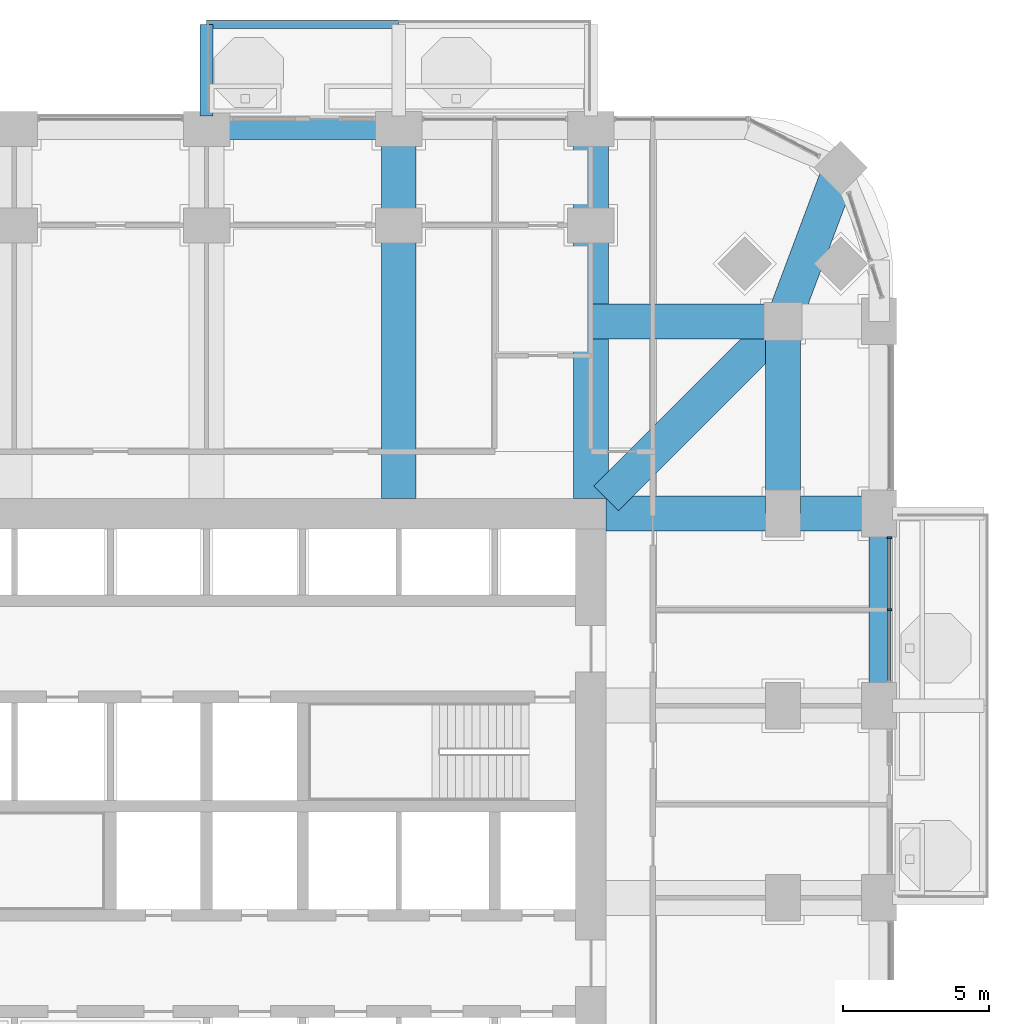
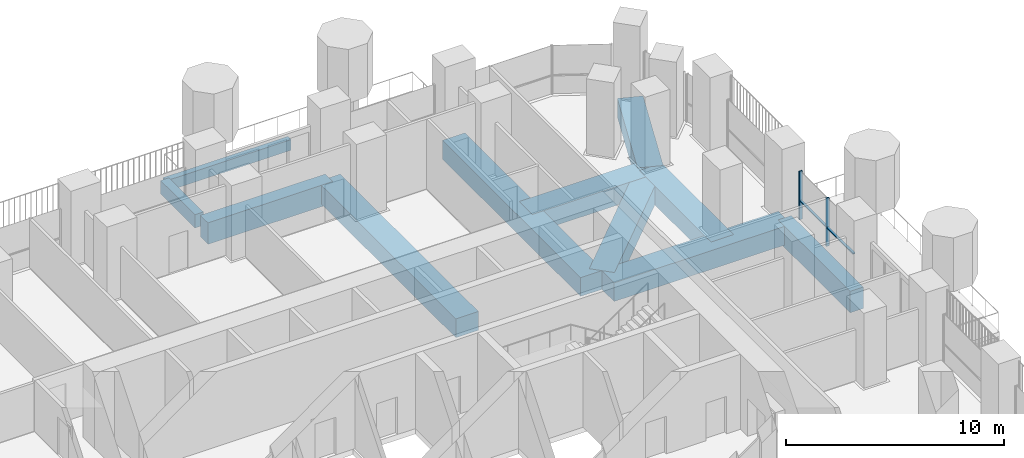
# One storey, part 7 of 23: 11 beams, 4 members, 1 element without a shape of its own.
"""IFC4 building model written with IfcOpenShell, lengths in metres."""

import ifcopenshell
import ifcopenshell.guid

model = None  # the IFC model being written
_history = None  # IfcOwnerHistory: only IFC2X3 demands one
_inside = {}  # id of a spatial element -> (the spatial element, [elements in it])
_under = {}  # id of a project, library or spatial element -> (it, [spatial elements below it])
_declared = {}  # id of a project -> (the project, [libraries it declares])
_typed = {}  # id of a type object -> (the type object, [elements of that type])
_made_of = {}  # id of a material, layer set ... -> (it, [elements and type objects made of it])


def new_model(schema):
    """Start an empty IFC model of exactly this schema.

    Asked for "IFC4X3", IfcOpenShell would pick the latest addendum, in which some entities
    have other attributes; the version numbers below select the first issue.
    IFC2X3 requires an IfcOwnerHistory on every rooted entity: one is made here for all.
    """
    global model, _history
    if schema == "IFC4X3":
        model = ifcopenshell.file(schema_version=(4, 3, 0, 0))
    else:
        model = ifcopenshell.file(schema=schema)
    _inside.clear()
    _under.clear()
    _declared.clear()
    _typed.clear()
    _made_of.clear()
    _history = None
    if model.schema == "IFC2X3":
        org = make("IfcOrganization", Name="unknown")
        user = make(
            "IfcPersonAndOrganization",
            ThePerson=make("IfcPerson", FamilyName="unknown"),
            TheOrganization=org,
        )
        app = make(
            "IfcApplication",
            ApplicationDeveloper=org,
            Version="unknown",
            ApplicationFullName="unknown",
            ApplicationIdentifier="unknown",
        )
        _history = make(
            "IfcOwnerHistory",
            OwningUser=user,
            OwningApplication=app,
            ChangeAction="ADDED",
            CreationDate=0,
        )
    return model


def make(cls, **values):
    """One entity of the class cls with the attributes given. An attribute that is None is left unset."""
    return model.create_entity(
        cls, **{name: value for name, value in values.items() if value is not None}
    )


def rooted(cls, **values):
    """An entity with a GlobalId (a new one), such as an element, a storey or a relation."""
    return make(cls, GlobalId=ifcopenshell.guid.new(), OwnerHistory=_history, **values)


def si_unit(unit_type, name, prefix=None):
    """IfcSIUnit, for example si_unit("LENGTHUNIT", "METRE", prefix="MILLI")."""
    return make("IfcSIUnit", UnitType=unit_type, Prefix=prefix, Name=name)


def assignment(units):
    """IfcUnitAssignment: the units of a project."""
    return None if units is None else make("IfcUnitAssignment", Units=units)


def point(xyz):
    """IfcCartesianPoint."""
    return None if xyz is None else make("IfcCartesianPoint", Coordinates=xyz)


def direction(xyz):
    """IfcDirection."""
    return None if xyz is None else make("IfcDirection", DirectionRatios=xyz)


def frame(location, z_axis=None, x_axis=None):
    """IfcAxis2Placement3D, a coordinate frame: its origin and axes. An axis left out is left unset."""
    return make(
        "IfcAxis2Placement3D",
        Location=point(location),
        Axis=direction(z_axis),
        RefDirection=direction(x_axis),
    )


def frame_2d(location, x_axis=None):
    """IfcAxis2Placement2D, a coordinate frame in the plane: its origin and x axis."""
    return make(
        "IfcAxis2Placement2D", Location=point(location), RefDirection=direction(x_axis)
    )


def origin():
    """The frame at (0, 0, 0) with its axes left unset."""
    return frame((0.0, 0.0, 0.0))


def origin_2d():
    """The frame at (0, 0) in the plane with its x axis left unset."""
    return frame_2d((0.0, 0.0))


def place(relative_to, where):
    """IfcLocalPlacement: puts the frame where relative to a parent placement (None: the world)."""
    return make(
        "IfcLocalPlacement", PlacementRelTo=relative_to, RelativePlacement=where
    )


def context(
    kind, dimensions, precision=None, world=None, true_north=None, identifier=None
):
    """IfcGeometricRepresentationContext, for example the 3D "Model" context."""
    return make(
        "IfcGeometricRepresentationContext",
        ContextIdentifier=identifier,
        ContextType=kind,
        CoordinateSpaceDimension=dimensions,
        Precision=precision,
        WorldCoordinateSystem=world,
        TrueNorth=true_north,
    )


def subcontext(parent, identifier, kind, view, scale=None):
    """IfcGeometricRepresentationSubContext, for example "Body" below "Model"."""
    return make(
        "IfcGeometricRepresentationSubContext",
        ContextIdentifier=identifier,
        ContextType=kind,
        ParentContext=parent,
        TargetScale=scale,
        TargetView=view,
    )


def project(units=None, contexts=None):
    """IfcProject with its units and contexts."""
    return rooted(
        "IfcProject",
        Name="project",
        RepresentationContexts=contexts,
        UnitsInContext=assignment(units),
    )


def spatial(cls, under=None, at=None, **own):
    """A site, building, storey or space (cls), placed at a placement, below another one or the project."""
    s = rooted(cls, ObjectPlacement=at, **own)
    if under is not None:
        _under.setdefault(under.id(), (under, []))[1].append(s)
    return s


def profile(cls, at=None, kind="AREA", **sizes):
    """A parametric profile (cls). Its sizes go by their IFC names, for example OverallWidth=200.0."""
    return make(cls, ProfileType=kind, Position=at, **sizes)


def rectangle(**sizes):
    """IfcRectangleProfileDef."""
    return profile("IfcRectangleProfileDef", **sizes)


def extrude(swept, where, along, depth):
    """IfcExtrudedAreaSolid: the profile swept, set in the frame where, extruded along a direction by depth."""
    return make(
        "IfcExtrudedAreaSolid",
        SweptArea=swept,
        Position=where,
        ExtrudedDirection=direction(along),
        Depth=depth,
    )


def shape(context_of_items, identifier, shape_type, items):
    """IfcShapeRepresentation: the items that make up one representation, for example the "Body"."""
    return make(
        "IfcShapeRepresentation",
        ContextOfItems=context_of_items,
        RepresentationIdentifier=identifier,
        RepresentationType=shape_type,
        Items=items,
    )


def material(Name=None, Category=None):
    """IfcMaterial."""
    return make("IfcMaterial", Name=Name, Category=Category)


def material_profile(
    of_material, cross_section, Name=None, Category=None, Priority=None
):
    """IfcMaterialProfile: a cross section and its material."""
    return make(
        "IfcMaterialProfile",
        Name=Name,
        Material=of_material,
        Profile=cross_section,
        Priority=Priority,
        Category=Category,
    )


def profile_set(profiles, Name=None, composite=None):
    """IfcMaterialProfileSet."""
    return make(
        "IfcMaterialProfileSet",
        Name=Name,
        MaterialProfiles=profiles,
        CompositeProfile=composite,
    )


def made_of(thing, what):
    """Note that an element or type object is made of a material, layer set ...; save() writes the relation."""
    if what is not None:
        _made_of.setdefault(what.id(), (what, []))[1].append(thing)
    return thing


def type_object(cls, material=None, **own):
    """A type object (cls), such as IfcWallType, which elements share."""
    return made_of(rooted(cls, **own), material)


def element(
    cls,
    number,
    at=None,
    inside=None,
    cuts=None,
    type_object=None,
    material=None,
    context=None,
    identifier="Body",
    shape_type=None,
    held_by="IfcProductDefinitionShape",
    body=None,
    shapes=None,
    **own,
):
    """One element of the class cls, such as IfcWall. Its Tag is "e" and its number.

    at: its placement. inside: the storey or other place that contains it. cuts: it is an
    opening in that element (IfcRelVoidsElement). A single representation is given by context,
    identifier, shape_type and body (its items); several are given by shapes. held_by: the class
    of the entity that holds the representations. save() writes the other relations.
    """
    e = rooted(cls, Tag="e%d" % number, ObjectPlacement=at, **own)
    if body is not None:
        shapes = [shape(context, identifier, shape_type, body)]
    if shapes is not None:
        e.Representation = make(held_by, Representations=shapes)
    if inside is not None:
        _inside.setdefault(inside.id(), (inside, []))[1].append(e)
    if cuts is not None:
        rooted(
            "IfcRelVoidsElement", RelatingBuildingElement=cuts, RelatedOpeningElement=e
        )
    if type_object is not None:
        _typed.setdefault(type_object.id(), (type_object, []))[1].append(e)
    return made_of(e, material)


def aggregate(whole, parts):
    """IfcRelAggregates: a whole, such as a stair, and the parts it consists of."""
    return rooted("IfcRelAggregates", RelatingObject=whole, RelatedObjects=parts)


def save(model, path):
    """Write the relations noted so far, then the file.

    IfcRelAggregates (storeys below a building ...), IfcRelContainedInSpatialStructure (elements
    in a storey), IfcRelDefinesByType, IfcRelAssociatesMaterial and IfcRelDeclares: one each for
    every whole, place, type object, material and project.
    """
    for whole, parts in _under.values():
        aggregate(whole, parts)
    for where, things in _inside.values():
        rooted(
            "IfcRelContainedInSpatialStructure",
            RelatedElements=things,
            RelatingStructure=where,
        )
    for kind, things in _typed.values():
        rooted("IfcRelDefinesByType", RelatedObjects=things, RelatingType=kind)
    for what, things in _made_of.values():
        rooted("IfcRelAssociatesMaterial", RelatedObjects=things, RelatingMaterial=what)
    for by, libraries in _declared.values():
        rooted("IfcRelDeclares", RelatingContext=by, RelatedDefinitions=libraries)
    model.write(path)


model = new_model("IFC4")

# Units and contexts
model_context = context("Model", 3, precision=1e-05, world=origin(), true_north=direction((0.0, 1.0)))
body_context = subcontext(model_context, "Body", "Model", "MODEL_VIEW")
ifc_project = project(units=[si_unit("LENGTHUNIT", "METRE"), si_unit("AREAUNIT", "SQUARE_METRE"), si_unit("VOLUMEUNIT", "CUBIC_METRE"), si_unit("PLANEANGLEUNIT", "RADIAN"), si_unit("MASSUNIT", "GRAM", prefix="KILO")], contexts=[model_context])

# Site, building, storey
site_placement = place(None, origin())
site = spatial("IfcSite", under=ifc_project, at=site_placement, CompositionType="ELEMENT")
building_placement = place(site_placement, origin())
building = spatial("IfcBuilding", under=site, at=building_placement, Name="Cobogo Forest Laboratory Tower", CompositionType="ELEMENT")
storey_placement = place(building_placement, frame((0.0, 0.0, 103.199951171875)))
storey = spatial("IfcBuildingStorey", under=building, at=storey_placement, Name="L23", CompositionType="ELEMENT", Elevation=103.199951171875)

# Beams
ifc_material_1 = material(Name="Concrete HA-40 (C40/50)", Category="concrete")
ifc_material_profile_1 = material_profile(ifc_material_1, rectangle(XDim=0.449951171875, YDim=0.75, at=origin_2d()), Name="RC 450x750")
ifc_profile_set_1 = profile_set([ifc_material_profile_1], Name="Concrete HA-40 (C40/50)")
beam_type_1 = type_object("IfcBeamType", Name="Balcony cantilever beam 450x750", PredefinedType="BEAM", material=ifc_profile_set_1)
beam_1_placement = place(storey_placement, frame((26.39990234375, 46.64990234375, -0.625), z_axis=(0.0, 1.0, 0.0), x_axis=(-1.0, 0.0, 0.0)))
element("IfcBeam", 1, at=beam_1_placement, inside=storey, type_object=beam_type_1, Name="CB1 BAL-N1-C1 L23", PredefinedType="BEAM", context=body_context, shape_type="SweptSolid", body=[
    extrude(rectangle(XDim=0.449951171875, YDim=0.75, at=origin_2d()), origin(), (0.0, 0.0, 1.0), 3.150146484375),
])
ifc_material_profile_2 = material_profile(ifc_material_1, rectangle(XDim=0.300048828125, YDim=0.60009765625, at=origin_2d()), Name="RC 300x600")
ifc_profile_set_2 = profile_set([ifc_material_profile_2], Name="Concrete HA-40 (C40/50)")
beam_type_2 = type_object("IfcBeamType", Name="Balcony edge beam 300x600", PredefinedType="BEAM", material=ifc_profile_set_2)
beam_2_placement = place(storey_placement, frame((26.39990234375, 49.800048828125, -0.550048828125), z_axis=(1.0, 0.0, 0.0), x_axis=(0.0, 1.0, 0.0)))
element("IfcBeam", 2, at=beam_2_placement, inside=storey, type_object=beam_type_2, Name="BB1 BAL-N1-T1 L23", PredefinedType="BEAM", context=body_context, shape_type="SweptSolid", body=[
    extrude(rectangle(XDim=0.300048828125, YDim=0.60009765625, at=origin_2d()), origin(), (0.0, 0.0, 1.0), 6.60009765625),
])
ifc_material_profile_3 = material_profile(ifc_material_1, rectangle(XDim=1.199951171875, YDim=1.050048828125, at=origin_2d()), Name="RC 1200x1050")
ifc_profile_set_3 = profile_set([ifc_material_profile_3], Name="Concrete HA-40 (C40/50)")
beam_type_3 = type_object("IfcBeamType", Name="Laboratory floor wide beam 1200x1050", PredefinedType="BEAM", material=ifc_profile_set_3)
for number, where, z_axis, x_axis, name in (
    (3, (33.0, 33.52490234375, -0.824951171875), (0.0, 1.0, 0.0), (-1.0, 0.0, 0.0), "RB1 R-6-N L23"),
    (4, (39.60009765625, 33.52490234375, -0.824951171875), (0.0, 1.0, 0.0), (-1.0, 0.0, 0.0), "RB1 R-7-N L23"),
):
    element("IfcBeam", number, at=place(storey_placement, frame(where, z_axis=z_axis, x_axis=x_axis)), inside=storey, type_object=beam_type_3, Name=name, PredefinedType="BEAM", context=body_context, shape_type="SweptSolid", body=[
        extrude(rectangle(XDim=1.199951171875, YDim=1.050048828125, at=origin_2d()), origin(), (0.0, 0.0, 1.0), 12.675048828125),
    ])
beam_3_placement = place(storey_placement, frame((40.125, 33.0, -0.824951171875), z_axis=(1.0, 0.0, 0.0), x_axis=(0.0, 1.0, 0.0)))
element("IfcBeam", 5, at=beam_3_placement, inside=storey, type_object=beam_type_3, Name="RB1 R-F-E L23", PredefinedType="BEAM", context=body_context, shape_type="SweptSolid", body=[
    extrude(rectangle(XDim=1.199951171875, YDim=1.050048828125, at=origin_2d()), origin(), (0.0, 0.0, 1.0), 9.375),
])
beam_4_placement = place(storey_placement, frame((46.199951171875, 39.60009765625, -0.824951171875), z_axis=(0.0, -1.0, 0.0), x_axis=(1.0, 0.0, 0.0)))
element("IfcBeam", 6, at=beam_4_placement, inside=storey, type_object=beam_type_3, Name="RB1 G-NE-XC L23", PredefinedType="BEAM", context=body_context, shape_type="SweptSolid", body=[
    extrude(rectangle(XDim=1.199951171875, YDim=1.050048828125, at=origin_2d()), origin(), (0.0, 0.0, 1.0), 6.60009765625),
])
beam_5_placement = place(storey_placement, frame((46.199951171875, 39.60009765625, -0.824951171875), z_axis=(-1.0, 0.0, 0.0), x_axis=(0.0, -1.0, 0.0)))
element("IfcBeam", 7, at=beam_5_placement, inside=storey, type_object=beam_type_3, Name="RB1 G-NE-YC L23", PredefinedType="BEAM", context=body_context, shape_type="SweptSolid", body=[
    extrude(rectangle(XDim=1.199951171875, YDim=1.050048828125, at=origin_2d()), origin(), (0.0, 0.0, 1.0), 6.599853515625),
])
beam_6_placement = place(storey_placement, frame((48.181884765625, 44.882080078125, -0.824951171875), z_axis=(-0.351308391925, -0.936259800356, 0.0), x_axis=(0.936259800356, -0.351308391925, 0.0)))
element("IfcBeam", 8, at=beam_6_placement, inside=storey, type_object=beam_type_3, Name="RB1 G-NE-D1 L23", PredefinedType="BEAM", context=body_context, shape_type="SweptSolid", body=[
    extrude(rectangle(XDim=1.199951171875, YDim=1.050048828125, at=origin_2d()), origin(), (0.0, 0.0, 1.0), 5.6416015625),
])
beam_7_placement = place(storey_placement, frame((46.199951171875, 39.60009765625, -0.824951171875), z_axis=(-0.707092572697, -0.70712098939, 0.0), x_axis=(0.70712098939, -0.707092572697, 0.0)))
element("IfcBeam", 9, at=beam_7_placement, inside=storey, type_object=beam_type_3, Name="RB1 G-NE-D2 L23", PredefinedType="BEAM", context=body_context, shape_type="SweptSolid", body=[
    extrude(rectangle(XDim=1.199951171875, YDim=1.050048828125, at=origin_2d()), origin(), (0.0, 0.0, 1.0), 8.591552734375),
])

# Curtain wall, members
ifc_material_2 = material(Name="Aluminium curtain wall", Category="aluminium")
curtain_wall_type = type_object("IfcCurtainWallType", Name="CW-1 unitised curtain wall, clear glazing, laboratory floors zones A and B", PredefinedType="USERDEFINED", material=ifc_material_2)
curtain_wall_placement = place(storey_placement, origin())
curtain_wall = element("IfcCurtainWall", 10, at=curtain_wall_placement, inside=storey, type_object=curtain_wall_type, Name="Curtain wall 13 L23", ObjectType="UNITISED CURTAIN WALL", PredefinedType="USERDEFINED")
ifc_material_3 = material(Name="Aluminium mullion", Category="aluminium")
ifc_material_profile_4 = material_profile(ifc_material_3, rectangle(XDim=0.06005859375, YDim=0.159912109375, at=origin_2d()), Name="AL 60x160")
ifc_profile_set_4 = profile_set([ifc_material_profile_4], Name="Aluminium mullion")
member_type_1 = type_object("IfcMemberType", Name="MU-1 aluminium mullion 60x160", PredefinedType="MULLION", material=ifc_profile_set_4)
member_1_placement = place(storey_placement, frame((49.85009765625, 29.699951171875, 0.0), z_axis=(0.0, 0.0, 1.0), x_axis=(0.0, 1.0, 0.0)))
member_1 = element("IfcMember", 11, at=member_1_placement, type_object=member_type_1, Name="CW-1 mullion 2", PredefinedType="MULLION", context=body_context, shape_type="SweptSolid", body=[
    extrude(rectangle(XDim=0.06005859375, YDim=0.159912109375, at=origin_2d()), origin(), (0.0, 0.0, 1.0), 2.699951171875),
])
member_2_placement = place(storey_placement, frame((49.85009765625, 32.169921875, 0.0), z_axis=(0.0, 0.0, 1.0), x_axis=(0.0, 1.0, 0.0)))
member_2 = element("IfcMember", 12, at=member_2_placement, type_object=member_type_1, Name="CW-1 mullion 3", PredefinedType="MULLION", context=body_context, shape_type="SweptSolid", body=[
    extrude(rectangle(XDim=0.06005859375, YDim=0.159912109375, at=origin_2d()), origin(), (0.0, 0.0, 1.0), 2.699951171875),
])

# Beams
ifc_material_profile_5 = material_profile(ifc_material_1, rectangle(XDim=0.699951171875, YDim=1.199951171875, at=origin_2d()), Name="RC 700x1200")
ifc_profile_set_5 = profile_set([ifc_material_profile_5], Name="Concrete HA-40 (C40/50)")
beam_type_4 = type_object("IfcBeamType", Name="Perimeter edge beam 700x1200", PredefinedType="BEAM", material=ifc_profile_set_5)
for number, where, z_axis, x_axis, name in (
    (13, (49.5, 26.39990234375, -0.89990234375), (0.0, 1.0, 0.0), (-1.0, 0.0, 0.0), "EB1 E-E4 L23"),
    (14, (26.39990234375, 46.199951171875, -0.89990234375), (1.0, 0.0, 0.0), (0.0, 1.0, 0.0), "EB1 E-N3 L23"),
):
    element("IfcBeam", number, at=place(storey_placement, frame(where, z_axis=z_axis, x_axis=x_axis)), inside=storey, type_object=beam_type_4, Name=name, PredefinedType="BEAM", context=body_context, shape_type="SweptSolid", body=[
        extrude(rectangle(XDim=0.699951171875, YDim=1.199951171875, at=origin_2d()), origin(), (0.0, 0.0, 1.0), 6.60009765625),
    ])

# Member
ifc_material_4 = material(Name="Aluminium transom", Category="aluminium")
ifc_material_profile_6 = material_profile(ifc_material_4, rectangle(XDim=0.1201171875, YDim=0.06005859375, at=origin_2d()), Name="AL 60x120")
ifc_profile_set_6 = profile_set([ifc_material_profile_6], Name="Aluminium transom")
member_type_2 = type_object("IfcMemberType", Name="TR-1 aluminium transom 60x120", PredefinedType="USERDEFINED", material=ifc_profile_set_6)
member_3_placement = place(storey_placement, frame((49.85009765625, 27.260009765625, 1.050048828125), z_axis=(0.0, 1.0, 0.0), x_axis=(-1.0, 0.0, 0.0)))
member_3 = element("IfcMember", 15, at=member_3_placement, type_object=member_type_2, Name="CW-1 transom 1.1", ObjectType="TRANSOM", PredefinedType="USERDEFINED", context=body_context, shape_type="SweptSolid", body=[
    extrude(rectangle(XDim=0.1201171875, YDim=0.06005859375, at=origin_2d()), origin(), (0.0, 0.0, 1.0), 2.409912109375),
])

member_4_placement = place(storey_placement, frame((49.85009765625, 29.72998046875, 1.050048828125), z_axis=(0.0, 1.0, 0.0), x_axis=(-1.0, 0.0, 0.0)))
member_4 = element("IfcMember", 16, at=member_4_placement, type_object=member_type_2, Name="CW-1 transom 2.1", ObjectType="TRANSOM", PredefinedType="USERDEFINED", context=body_context, shape_type="SweptSolid", body=[
    extrude(rectangle(XDim=0.1201171875, YDim=0.06005859375, at=origin_2d()), origin(), (0.0, 0.0, 1.0), 2.409912109375),
])

aggregate(curtain_wall, [member_1, member_2, member_3, member_4])

save(model, "model.ifc")
